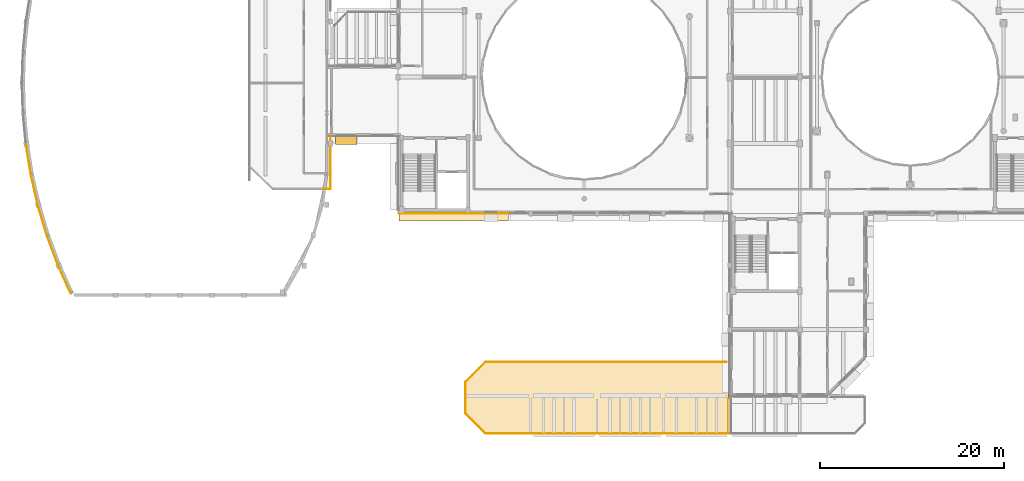
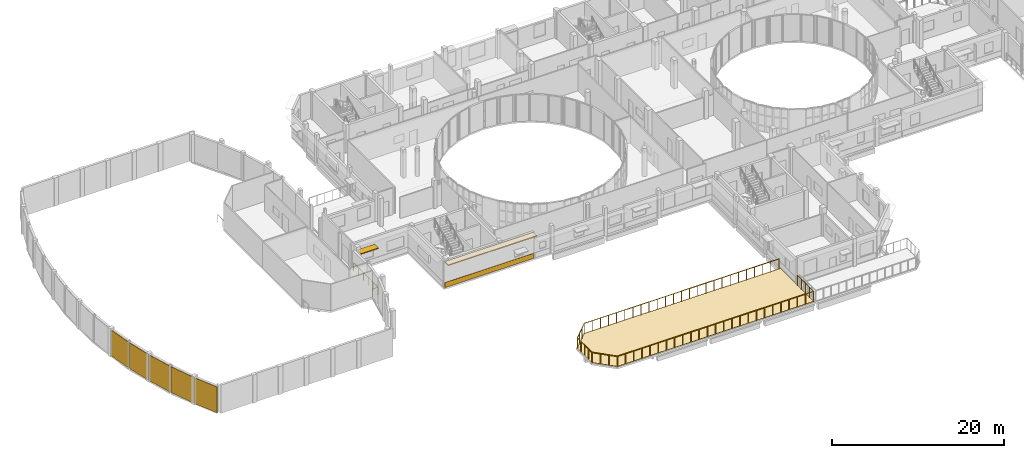
# One storey, part 78 of 92: 8 coverings, 3 railings, 1 shading device.
"""IFC4 building model written with IfcOpenShell, lengths in metres."""

from ifc_helpers import new_model, si_unit, direction, frame, origin, origin_2d, place, context, subcontext, project, spatial, polyline, rectangle, circle, outline, extrude, material, layer, layer_set, type_object, element, save


model = new_model("IFC4")

# Units and contexts
model_context = context("Model", 3, precision=1e-05, world=origin(), true_north=direction((0.0, 1.0)))
body_context = subcontext(model_context, "Body", "Model", "MODEL_VIEW")
ifc_project = project(units=[si_unit("LENGTHUNIT", "METRE"), si_unit("AREAUNIT", "SQUARE_METRE"), si_unit("VOLUMEUNIT", "CUBIC_METRE"), si_unit("PLANEANGLEUNIT", "RADIAN"), si_unit("MASSUNIT", "GRAM", prefix="KILO")], contexts=[model_context])

# Site, building, storey
site_placement = place(None, origin())
site = spatial("IfcSite", under=ifc_project, at=site_placement, CompositionType="ELEMENT")
building_placement = place(site_placement, origin())
building = spatial("IfcBuilding", under=site, at=building_placement, Name="Kelanivale Promenade Academy", CompositionType="ELEMENT")
storey_placement = place(building_placement, frame((0.0, 0.0, 8.199951171875)))
storey = spatial("IfcBuildingStorey", under=building, at=storey_placement, Name="L02", CompositionType="ELEMENT", Elevation=8.199951171875)

# Coverings
ifc_material_1 = material(Name="Sri Lankan terracotta fluted rainscreen cladding 45 mm", Category="masonry")
ifc_layer_1 = layer(ifc_material_1, 0.044921875)
ifc_layer_set_1 = layer_set([ifc_layer_1], Name="Sri Lankan terracotta fluted rainscreen cladding 45 mm")
covering_type_1 = type_object("IfcCoveringType", Name="COV-CLD1 Sri Lankan terracotta fluted rainscr", PredefinedType="CLADDING", material=ifc_layer_set_1)
covering_1_placement = place(storey_placement, frame((7.031982421875, 34.740966796875, 0.03955078125), z_axis=(0.0, 0.0, 1.0), x_axis=(0.414375580993, -0.910105970685, 0.0)))
element("IfcCovering", 1, at=covering_1_placement, inside=storey, type_object=covering_type_1, Name="Sports Hall Crescent Pavilion fluted terracotta cladding panel", PredefinedType="CLADDING", context=body_context, shape_type="SweptSolid", body=[
    extrude(rectangle(XDim=3.221923828125, YDim=0.044921875, at=origin_2d()), origin(), (0.0, 0.0, 1.0), 3.6650390625),
])
covering_2_placement = place(storey_placement, frame((5.722900390625, 37.912109375, 0.03955078125), z_axis=(0.0, 0.0, 1.0), x_axis=(0.350861216412, -0.936427470132, 0.0)))
element("IfcCovering", 2, at=covering_2_placement, inside=storey, type_object=covering_type_1, Name="Sports Hall Crescent Pavilion fluted terracotta cladding panel", PredefinedType="CLADDING", context=body_context, shape_type="SweptSolid", body=[
    extrude(rectangle(XDim=3.4599609375, YDim=0.044921875, at=origin_2d()), origin(), (0.0, 0.0, 1.0), 3.6650390625),
])
covering_3_placement = place(storey_placement, frame((4.60205078125, 41.237060546875, 0.03955078125), z_axis=(0.0, 0.0, 1.0), x_axis=(0.287026159226, -0.957922744234, 0.0)))
element("IfcCovering", 3, at=covering_3_placement, inside=storey, type_object=covering_type_1, Name="Sports Hall Crescent Pavilion fluted terracotta cladding panel", PredefinedType="CLADDING", context=body_context, shape_type="SweptSolid", body=[
    extrude(rectangle(XDim=3.3798828125, YDim=0.044921875, at=origin_2d()), origin(), (0.0, 0.0, 1.0), 3.6650390625),
])
covering_4_placement = place(storey_placement, frame((3.722900390625, 44.56201171875, 0.03955078125), z_axis=(0.0, 0.0, 1.0), x_axis=(0.223250116011, -0.974761194191, 0.0)))
element("IfcCovering", 4, at=covering_4_placement, inside=storey, type_object=covering_type_1, Name="Sports Hall Crescent Pavilion fluted terracotta cladding panel", PredefinedType="CLADDING", context=body_context, shape_type="SweptSolid", body=[
    extrude(rectangle(XDim=3.320068359375, YDim=0.044921875, at=origin_2d()), origin(), (0.0, 0.0, 1.0), 3.6650390625),
])
covering_5_placement = place(storey_placement, frame((3.073974609375, 47.886962890625, 0.03955078125), z_axis=(0.0, 0.0, 1.0), x_axis=(0.15936430246, -0.987219843349, 0.0)))
element("IfcCovering", 5, at=covering_5_placement, inside=storey, type_object=covering_type_1, Name="Sports Hall Crescent Pavilion fluted terracotta cladding panel", PredefinedType="CLADDING", context=body_context, shape_type="SweptSolid", body=[
    extrude(rectangle(XDim=3.277099609375, YDim=0.044921875, at=origin_2d()), origin(), (0.0, 0.0, 1.0), 3.6650390625),
])
ifc_material_2 = material(Name="Warm ivory Art Deco stucco frieze band 40 mm", Category="masonry")
ifc_layer_2 = layer(ifc_material_2, 0.0400390625)
ifc_layer_set_2 = layer_set([ifc_layer_2], Name="Warm ivory Art Deco stucco frieze band 40 mm")
covering_type_2 = type_object("IfcCoveringType", Name="COV-CLD2 Warm ivory Art Deco stucco frieze ba", PredefinedType="CLADDING", material=ifc_layer_set_2)
covering_6_placement = place(storey_placement, frame((49.24609375, 41.60009765625, 3.6201171875), z_axis=(0.0, 0.0, 1.0), x_axis=(1.0, 0.0, 0.0)))
element("IfcCovering", 6, at=covering_6_placement, inside=storey, type_object=covering_type_2, Name="Art Deco projecting 820 mm streamline sunshade eyebrow ledge", PredefinedType="CLADDING", context=body_context, shape_type="SweptSolid", body=[
    extrude(rectangle(XDim=11.93310546875, YDim=0.820068359375, at=origin_2d()), origin(), (0.0, 0.0, 1.0), 0.139892578125),
])
covering_7_placement = place(storey_placement, frame((49.24609375, 41.985107421875, 0.06005859375), z_axis=(0.0, 0.0, 1.0), x_axis=(1.0, 0.0, 0.0)))
element("IfcCovering", 7, at=covering_7_placement, inside=storey, type_object=covering_type_2, Name="Art Deco ivory stucco sill frieze band", PredefinedType="CLADDING", context=body_context, shape_type="SweptSolid", body=[
    extrude(rectangle(XDim=11.93310546875, YDim=0.0400390625, at=origin_2d()), origin(), (0.0, 0.0, 1.0), 0.719970703125),
])
ifc_material_3 = material(Name="Impact-absorbing EPDM rooftop Play Deck surfacing 40 mm", Category="masonry")
ifc_layer_3 = layer(ifc_material_3, 0.0400390625)
ifc_layer_set_3 = layer_set([ifc_layer_3], Name="Impact-absorbing EPDM rooftop Play Deck surfacing 40 mm")
covering_type_3 = type_object("IfcCoveringType", Name="COV-FLR3 Impact-absorbing EPDM rooftop Play D", PredefinedType="FLOORING", material=ifc_layer_set_3)
covering_8_placement = place(storey_placement, origin())
element("IfcCovering", 8, at=covering_8_placement, inside=storey, type_object=covering_type_3, Name="Promenade Rooftop Play Deck EPDM safety surfacing", PredefinedType="FLOORING", context=body_context, shape_type="SweptSolid", body=[
    extrude(outline(polyline([(52.697998046875, 18.139892578125), (79.06005859375, 18.139892578125), (79.06005859375, 25.860107421875), (52.697998046875, 25.860107421875), (50.5400390625, 23.701904296875), (50.5400390625, 20.298095703125), (52.697998046875, 18.139892578125)])), origin(), (0.0, 0.0, 1.0), 0.0400390625),
])

# Railings
ifc_material_4 = material(Name="Brushed stainless steel grade 316", Category="steel")
railing_type_1 = type_object("IfcRailingType", Name="GR-01 Stair Guard 1100mm", PredefinedType="BALUSTRADE", material=ifc_material_4)
railing_1_placement = place(storey_placement, frame((35.10009765625, 44.679931640625, 0.0)))
element("IfcRailing", 9, at=railing_1_placement, inside=storey, type_object=railing_type_1, Name="Sports Viewing Gallery south end closure guard", PredefinedType="BALUSTRADE", context=body_context, shape_type="SweptSolid", body=[
    extrude(circle(Radius=0.02392578125, at=origin_2d()), frame((0.0, 0.0, 1.09619140625), z_axis=(1.0, 0.0, 0.0), x_axis=(0.0, 1.0, 0.0)), (0.0, 0.0, 1.0), 0.77978515625),
    extrude(circle(Radius=0.02392578125, at=origin_2d()), frame((0.77978515625, 0.0, 1.09619140625), z_axis=(0.0, 1.0, 0.0), x_axis=(-1.0, 0.0, 0.0)), (0.0, 0.0, 1.0), 5.719970703125),
    extrude(circle(Radius=0.02099609375, at=origin_2d()), origin(), (0.0, 0.0, 1.0), 1.072021484375),
    extrude(circle(Radius=0.02099609375, at=origin_2d()), frame((0.77978515625, 0.0, 0.0)), (0.0, 0.0, 1.0), 1.072021484375),
    extrude(circle(Radius=0.02099609375, at=origin_2d()), frame((0.77978515625, 1.14404296875, 0.0)), (0.0, 0.0, 1.0), 1.072021484375),
    extrude(circle(Radius=0.02099609375, at=origin_2d()), frame((0.77978515625, 2.2880859375, 0.0)), (0.0, 0.0, 1.0), 1.072021484375),
    extrude(circle(Radius=0.02099609375, at=origin_2d()), frame((0.77978515625, 3.431884765625, 0.0)), (0.0, 0.0, 1.0), 1.072021484375),
    extrude(circle(Radius=0.02099609375, at=origin_2d()), frame((0.77978515625, 4.575927734375, 0.0)), (0.0, 0.0, 1.0), 1.072021484375),
    extrude(circle(Radius=0.02099609375, at=origin_2d()), frame((0.77978515625, 5.719970703125, 0.0)), (0.0, 0.0, 1.0), 1.072021484375),
])
ifc_material_5 = material(Name="Powder-coated galvanized steel and stainless top rail", Category="steel")
railing_type_2 = type_object("IfcRailingType", Name="GR-02 Play Deck Balustrade 1500mm", PredefinedType="BALUSTRADE", material=ifc_material_5)
railing_2_placement = place(storey_placement, frame((50.5400390625, 20.298095703125, 0.0)))
element("IfcRailing", 10, at=railing_2_placement, inside=storey, type_object=railing_type_2, Name="Promenade Rooftop Play Deck 1500 mm safety balustrade", PredefinedType="BALUSTRADE", context=body_context, shape_type="SweptSolid", body=[
    extrude(circle(Radius=0.02392578125, at=origin_2d()), frame((0.0, 0.0, 1.47607421875), z_axis=(0.0, 1.0, 0.0), x_axis=(-1.0, 0.0, 0.0)), (0.0, 0.0, 1.0), 3.40380859375),
    extrude(circle(Radius=0.02392578125, at=origin_2d()), frame((0.0, 3.40380859375, 1.47607421875), z_axis=(0.707066783066, 0.707146777045, 0.0), x_axis=(-0.707146777045, 0.707066783066, 0.0)), (0.0, 0.0, 1.0), 3.052001953125),
    extrude(circle(Radius=0.02392578125, at=origin_2d()), frame((2.157958984375, 5.56201171875, 1.47607421875), z_axis=(1.0, 0.0, 0.0), x_axis=(0.0, 1.0, 0.0)), (0.0, 0.0, 1.0), 26.152099609375),
    extrude(circle(Radius=0.02099609375, at=origin_2d()), origin(), (0.0, 0.0, 1.0), 1.451904296875),
    extrude(circle(Radius=0.02099609375, at=origin_2d()), frame((0.0, 0.85107421875, 0.0)), (0.0, 0.0, 1.0), 1.451904296875),
    extrude(circle(Radius=0.02099609375, at=origin_2d()), frame((0.0, 1.701904296875, 0.0)), (0.0, 0.0, 1.0), 1.451904296875),
    extrude(circle(Radius=0.02099609375, at=origin_2d()), frame((0.0, 2.552734375, 0.0)), (0.0, 0.0, 1.0), 1.451904296875),
    extrude(circle(Radius=0.02099609375, at=origin_2d()), frame((0.0, 3.40380859375, 0.0)), (0.0, 0.0, 1.0), 1.451904296875),
    extrude(circle(Radius=0.02099609375, at=origin_2d()), frame((0.71923828125, 4.123291015625, 0.0)), (0.0, 0.0, 1.0), 1.451904296875),
    extrude(circle(Radius=0.02099609375, at=origin_2d()), frame((1.438720703125, 4.842529296875, 0.0)), (0.0, 0.0, 1.0), 1.451904296875),
    extrude(circle(Radius=0.02099609375, at=origin_2d()), frame((2.157958984375, 5.56201171875, 0.0)), (0.0, 0.0, 1.0), 1.451904296875),
    extrude(circle(Radius=0.02099609375, at=origin_2d()), frame((3.24755859375, 5.56201171875, 0.0)), (0.0, 0.0, 1.0), 1.451904296875),
    extrude(circle(Radius=0.02099609375, at=origin_2d()), frame((4.33740234375, 5.56201171875, 0.0)), (0.0, 0.0, 1.0), 1.451904296875),
    extrude(circle(Radius=0.02099609375, at=origin_2d()), frame((5.427001953125, 5.56201171875, 0.0)), (0.0, 0.0, 1.0), 1.451904296875),
    extrude(circle(Radius=0.02099609375, at=origin_2d()), frame((6.5166015625, 5.56201171875, 0.0)), (0.0, 0.0, 1.0), 1.451904296875),
    extrude(circle(Radius=0.02099609375, at=origin_2d()), frame((7.606201171875, 5.56201171875, 0.0)), (0.0, 0.0, 1.0), 1.451904296875),
    extrude(circle(Radius=0.02099609375, at=origin_2d()), frame((8.696044921875, 5.56201171875, 0.0)), (0.0, 0.0, 1.0), 1.451904296875),
    extrude(circle(Radius=0.02099609375, at=origin_2d()), frame((9.78564453125, 5.56201171875, 0.0)), (0.0, 0.0, 1.0), 1.451904296875),
    extrude(circle(Radius=0.02099609375, at=origin_2d()), frame((10.875244140625, 5.56201171875, 0.0)), (0.0, 0.0, 1.0), 1.451904296875),
    extrude(circle(Radius=0.02099609375, at=origin_2d()), frame((11.965087890625, 5.56201171875, 0.0)), (0.0, 0.0, 1.0), 1.451904296875),
    extrude(circle(Radius=0.02099609375, at=origin_2d()), frame((13.0546875, 5.56201171875, 0.0)), (0.0, 0.0, 1.0), 1.451904296875),
    extrude(circle(Radius=0.02099609375, at=origin_2d()), frame((14.144287109375, 5.56201171875, 0.0)), (0.0, 0.0, 1.0), 1.451904296875),
    extrude(circle(Radius=0.02099609375, at=origin_2d()), frame((15.23388671875, 5.56201171875, 0.0)), (0.0, 0.0, 1.0), 1.451904296875),
    extrude(circle(Radius=0.02099609375, at=origin_2d()), frame((16.32373046875, 5.56201171875, 0.0)), (0.0, 0.0, 1.0), 1.451904296875),
    extrude(circle(Radius=0.02099609375, at=origin_2d()), frame((17.413330078125, 5.56201171875, 0.0)), (0.0, 0.0, 1.0), 1.451904296875),
    extrude(circle(Radius=0.02099609375, at=origin_2d()), frame((18.5029296875, 5.56201171875, 0.0)), (0.0, 0.0, 1.0), 1.451904296875),
    extrude(circle(Radius=0.02099609375, at=origin_2d()), frame((19.5927734375, 5.56201171875, 0.0)), (0.0, 0.0, 1.0), 1.451904296875),
    extrude(circle(Radius=0.02099609375, at=origin_2d()), frame((20.682373046875, 5.56201171875, 0.0)), (0.0, 0.0, 1.0), 1.451904296875),
    extrude(circle(Radius=0.02099609375, at=origin_2d()), frame((21.77197265625, 5.56201171875, 0.0)), (0.0, 0.0, 1.0), 1.451904296875),
    extrude(circle(Radius=0.02099609375, at=origin_2d()), frame((22.86181640625, 5.56201171875, 0.0)), (0.0, 0.0, 1.0), 1.451904296875),
    extrude(circle(Radius=0.02099609375, at=origin_2d()), frame((23.951416015625, 5.56201171875, 0.0)), (0.0, 0.0, 1.0), 1.451904296875),
    extrude(circle(Radius=0.02099609375, at=origin_2d()), frame((25.041015625, 5.56201171875, 0.0)), (0.0, 0.0, 1.0), 1.451904296875),
    extrude(circle(Radius=0.02099609375, at=origin_2d()), frame((26.130615234375, 5.56201171875, 0.0)), (0.0, 0.0, 1.0), 1.451904296875),
    extrude(circle(Radius=0.02099609375, at=origin_2d()), frame((27.220458984375, 5.56201171875, 0.0)), (0.0, 0.0, 1.0), 1.451904296875),
    extrude(circle(Radius=0.02099609375, at=origin_2d()), frame((28.31005859375, 5.56201171875, 0.0)), (0.0, 0.0, 1.0), 1.451904296875),
])
railing_3_placement = place(storey_placement, frame((79.06005859375, 21.8798828125, 0.0)))
element("IfcRailing", 11, at=railing_3_placement, inside=storey, type_object=railing_type_2, Name="Promenade Rooftop Play Deck 1500 mm safety balustrade", PredefinedType="BALUSTRADE", context=body_context, shape_type="SweptSolid", body=[
    extrude(circle(Radius=0.02392578125, at=origin_2d()), frame((0.0, 0.0, 1.47607421875), z_axis=(0.0, -1.0, 0.0), x_axis=(1.0, 0.0, 0.0)), (0.0, 0.0, 1.0), 3.739990234375),
    extrude(circle(Radius=0.02392578125, at=origin_2d()), frame((0.0, -3.739990234375, 1.47607421875), z_axis=(-1.0, 0.0, 0.0), x_axis=(0.0, -1.0, 0.0)), (0.0, 0.0, 1.0), 26.362060546875),
    extrude(circle(Radius=0.02392578125, at=origin_2d()), frame((-26.362060546875, -3.739990234375, 1.47607421875), z_axis=(-0.707066783066, 0.707146777045, 0.0), x_axis=(-0.707146777045, -0.707066783066, 0.0)), (0.0, 0.0, 1.0), 3.052001953125),
    extrude(circle(Radius=0.02099609375, at=origin_2d()), origin(), (0.0, 0.0, 1.0), 1.451904296875),
    extrude(circle(Radius=0.02099609375, at=origin_2d()), frame((0.0, -0.93505859375, 0.0)), (0.0, 0.0, 1.0), 1.451904296875),
    extrude(circle(Radius=0.02099609375, at=origin_2d()), frame((0.0, -1.8701171875, 0.0)), (0.0, 0.0, 1.0), 1.451904296875),
    extrude(circle(Radius=0.02099609375, at=origin_2d()), frame((0.0, -2.804931640625, 0.0)), (0.0, 0.0, 1.0), 1.451904296875),
    extrude(circle(Radius=0.02099609375, at=origin_2d()), frame((0.0, -3.739990234375, 0.0)), (0.0, 0.0, 1.0), 1.451904296875),
    extrude(circle(Radius=0.02099609375, at=origin_2d()), frame((-1.098388671875, -3.739990234375, 0.0)), (0.0, 0.0, 1.0), 1.451904296875),
    extrude(circle(Radius=0.02099609375, at=origin_2d()), frame((-2.19677734375, -3.739990234375, 0.0)), (0.0, 0.0, 1.0), 1.451904296875),
    extrude(circle(Radius=0.02099609375, at=origin_2d()), frame((-3.295166015625, -3.739990234375, 0.0)), (0.0, 0.0, 1.0), 1.451904296875),
    extrude(circle(Radius=0.02099609375, at=origin_2d()), frame((-4.3935546875, -3.739990234375, 0.0)), (0.0, 0.0, 1.0), 1.451904296875),
    extrude(circle(Radius=0.02099609375, at=origin_2d()), frame((-5.4921875, -3.739990234375, 0.0)), (0.0, 0.0, 1.0), 1.451904296875),
    extrude(circle(Radius=0.02099609375, at=origin_2d()), frame((-6.590576171875, -3.739990234375, 0.0)), (0.0, 0.0, 1.0), 1.451904296875),
    extrude(circle(Radius=0.02099609375, at=origin_2d()), frame((-7.68896484375, -3.739990234375, 0.0)), (0.0, 0.0, 1.0), 1.451904296875),
    extrude(circle(Radius=0.02099609375, at=origin_2d()), frame((-8.787353515625, -3.739990234375, 0.0)), (0.0, 0.0, 1.0), 1.451904296875),
    extrude(circle(Radius=0.02099609375, at=origin_2d()), frame((-9.8857421875, -3.739990234375, 0.0)), (0.0, 0.0, 1.0), 1.451904296875),
    extrude(circle(Radius=0.02099609375, at=origin_2d()), frame((-10.984130859375, -3.739990234375, 0.0)), (0.0, 0.0, 1.0), 1.451904296875),
    extrude(circle(Radius=0.02099609375, at=origin_2d()), frame((-12.08251953125, -3.739990234375, 0.0)), (0.0, 0.0, 1.0), 1.451904296875),
    extrude(circle(Radius=0.02099609375, at=origin_2d()), frame((-13.18115234375, -3.739990234375, 0.0)), (0.0, 0.0, 1.0), 1.451904296875),
    extrude(circle(Radius=0.02099609375, at=origin_2d()), frame((-14.279541015625, -3.739990234375, 0.0)), (0.0, 0.0, 1.0), 1.451904296875),
    extrude(circle(Radius=0.02099609375, at=origin_2d()), frame((-15.3779296875, -3.739990234375, 0.0)), (0.0, 0.0, 1.0), 1.451904296875),
    extrude(circle(Radius=0.02099609375, at=origin_2d()), frame((-16.476318359375, -3.739990234375, 0.0)), (0.0, 0.0, 1.0), 1.451904296875),
    extrude(circle(Radius=0.02099609375, at=origin_2d()), frame((-17.57470703125, -3.739990234375, 0.0)), (0.0, 0.0, 1.0), 1.451904296875),
    extrude(circle(Radius=0.02099609375, at=origin_2d()), frame((-18.673095703125, -3.739990234375, 0.0)), (0.0, 0.0, 1.0), 1.451904296875),
    extrude(circle(Radius=0.02099609375, at=origin_2d()), frame((-19.771484375, -3.739990234375, 0.0)), (0.0, 0.0, 1.0), 1.451904296875),
    extrude(circle(Radius=0.02099609375, at=origin_2d()), frame((-20.869873046875, -3.739990234375, 0.0)), (0.0, 0.0, 1.0), 1.451904296875),
    extrude(circle(Radius=0.02099609375, at=origin_2d()), frame((-21.96826171875, -3.739990234375, 0.0)), (0.0, 0.0, 1.0), 1.451904296875),
    extrude(circle(Radius=0.02099609375, at=origin_2d()), frame((-23.06689453125, -3.739990234375, 0.0)), (0.0, 0.0, 1.0), 1.451904296875),
    extrude(circle(Radius=0.02099609375, at=origin_2d()), frame((-24.165283203125, -3.739990234375, 0.0)), (0.0, 0.0, 1.0), 1.451904296875),
    extrude(circle(Radius=0.02099609375, at=origin_2d()), frame((-25.263671875, -3.739990234375, 0.0)), (0.0, 0.0, 1.0), 1.451904296875),
    extrude(circle(Radius=0.02099609375, at=origin_2d()), frame((-26.362060546875, -3.739990234375, 0.0)), (0.0, 0.0, 1.0), 1.451904296875),
    extrude(circle(Radius=0.02099609375, at=origin_2d()), frame((-27.081298828125, -3.0205078125, 0.0)), (0.0, 0.0, 1.0), 1.451904296875),
    extrude(circle(Radius=0.02099609375, at=origin_2d()), frame((-27.80078125, -2.30126953125, 0.0)), (0.0, 0.0, 1.0), 1.451904296875),
    extrude(circle(Radius=0.02099609375, at=origin_2d()), frame((-28.52001953125, -1.581787109375, 0.0)), (0.0, 0.0, 1.0), 1.451904296875),
])

# Shading device
ifc_material_6 = material(Name="Precast concrete C40/50", Category="concrete")
ifc_layer_4 = layer(ifc_material_6, 0.1201171875)
ifc_layer_set_4 = layer_set([ifc_layer_4], Name="Precast concrete C40/50")
shading_device_type = type_object("IfcShadingDeviceType", Name="SHD-01 Art Deco Sunshade Eyebrow 900mm", PredefinedType="USERDEFINED", material=ifc_layer_set_4)
shading_device_placement = place(storey_placement, frame((37.570068359375, 49.9599609375, 2.610107421875), z_axis=(0.0, 0.0, 1.0), x_axis=(1.0, 0.0, 0.0)))
element("IfcShadingDevice", 12, at=shading_device_placement, inside=storey, type_object=shading_device_type, Name="Art Deco 900 mm precast chajja window sunshade", ObjectType="SUNSHADE", PredefinedType="USERDEFINED", context=body_context, shape_type="SweptSolid", body=[
    extrude(rectangle(XDim=2.35009765625, YDim=0.89990234375, at=origin_2d()), origin(), (0.0, 0.0, 1.0), 0.1201171875),
])

save(model, "model.ifc")
